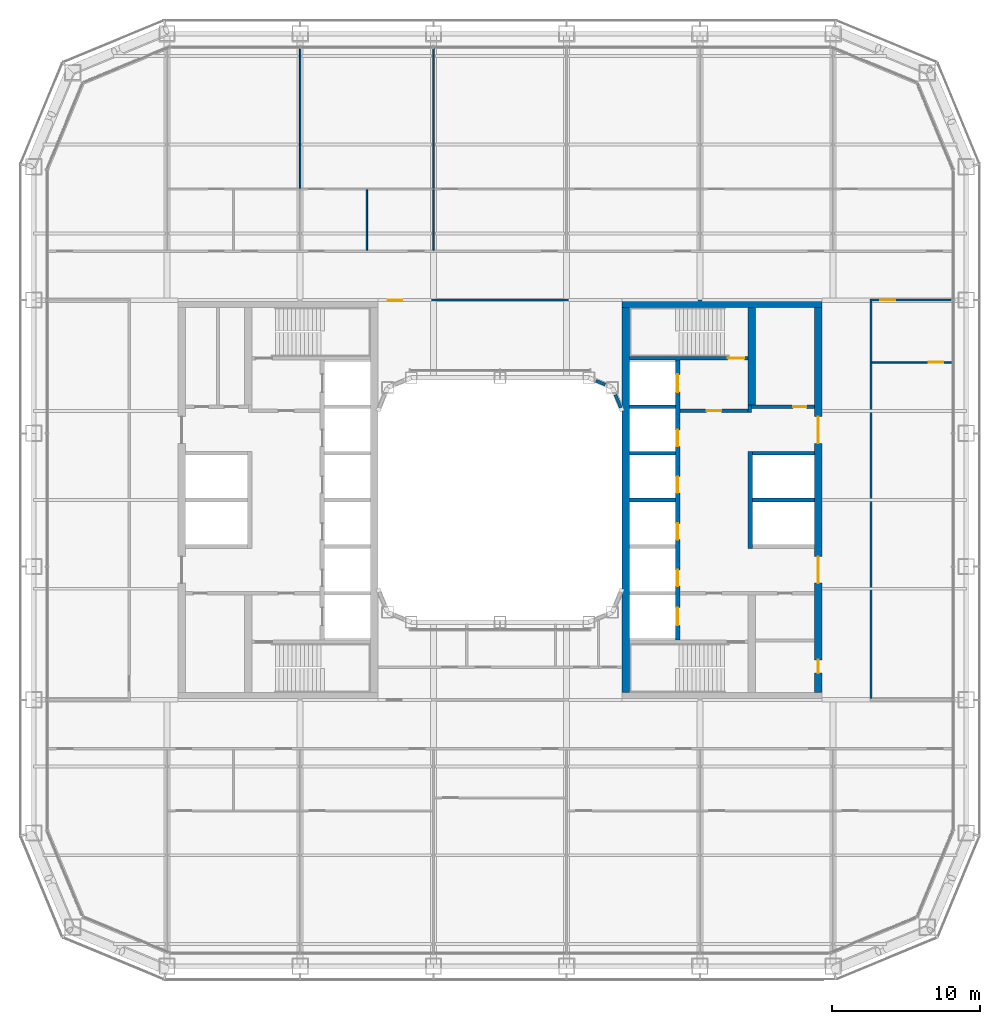
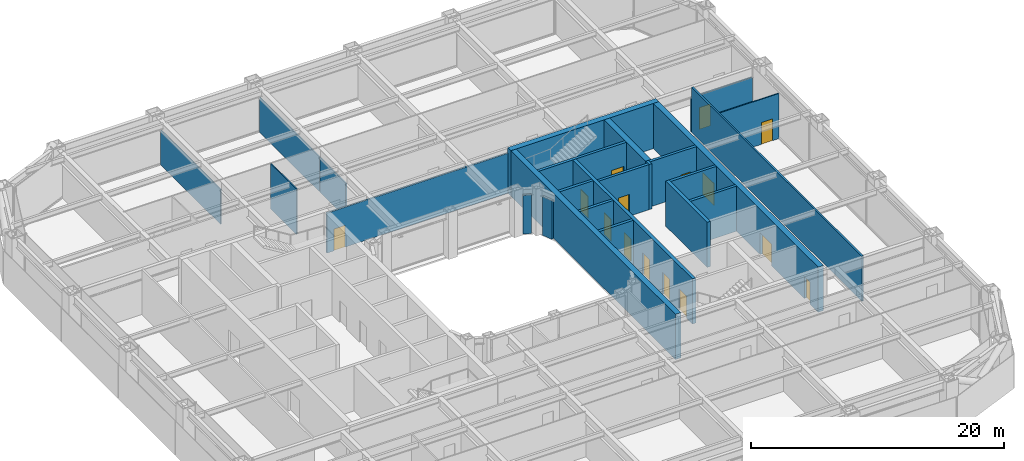
# One storey, part 14 of 24: 25 walls, 15 doors, 15 openings.
"""IFC4 building model written with IfcOpenShell, lengths in metres."""

from ifc_helpers import new_model, si_unit, direction, frame, frame_2d, origin, place, context, subcontext, project, spatial, rectangle, extrude, material, layer, layer_set, type_object, element, fill, save


model = new_model("IFC4")

# Units and contexts
model_context = context("Model", 3, precision=1e-05, world=origin(), true_north=direction((0.0, 1.0)))
body_context = subcontext(model_context, "Body", "Model", "MODEL_VIEW")
ifc_project = project(units=[si_unit("LENGTHUNIT", "METRE"), si_unit("AREAUNIT", "SQUARE_METRE"), si_unit("VOLUMEUNIT", "CUBIC_METRE"), si_unit("PLANEANGLEUNIT", "RADIAN"), si_unit("MASSUNIT", "GRAM", prefix="KILO")], contexts=[model_context])

# Site, building, storey
site_placement = place(None, origin())
site = spatial("IfcSite", under=ifc_project, at=site_placement, CompositionType="ELEMENT")
building_placement = place(site_placement, origin())
building = spatial("IfcBuilding", under=site, at=building_placement, Name="Siwar Civic Tower", CompositionType="ELEMENT")
storey_placement = place(building_placement, frame((0.0, 0.0, 40.199951171875)))
storey = spatial("IfcBuildingStorey", under=building, at=storey_placement, Name="L08", CompositionType="ELEMENT", Elevation=40.199951171875)

# Wall, opening, door
ifc_material_1 = material(Name="Concrete C60/75", Category="concrete")
ifc_layer_1 = layer(ifc_material_1, 0.25)
ifc_layer_set_1 = layer_set([ifc_layer_1], Name="Concrete C60/75")
wall_type_1 = type_object("IfcWallType", Name="CORE-WALL-RC250", PredefinedType="SHEAR", material=ifc_layer_set_1)
wall_1_placement = place(storey_placement, frame((12.14990234375, 6.02490234375, 0.0), z_axis=(0.0, 0.0, 1.0), x_axis=(1.0, 0.0, 0.0)))
wall_1 = element("IfcWall", 1, at=wall_1_placement, inside=storey, type_object=wall_type_1, Name="Core wall E", PredefinedType="SHEAR", context=body_context, shape_type="SweptSolid", body=[
    extrude(rectangle(XDim=4.60009765625, YDim=0.25, at=frame_2d((2.300048828125, 0.0))), origin(), (0.0, 0.0, 1.0), 4.35009765625),
])
opening_1_placement = place(wall_1_placement, frame((1.800048828125, 0.0, 0.0)))
opening_1 = element("IfcOpeningElement", 2, at=opening_1_placement, cuts=wall_1, Name="Opening L08-CE01", PredefinedType="OPENING", context=body_context, shape_type="SweptSolid", body=[
    extrude(rectangle(XDim=1.0, YDim=2.10009765625, at=frame_2d((0.5, 1.050048828125))), frame((0.0, 0.135009765625, 0.0), z_axis=(0.0, -1.0, 0.0), x_axis=(1.0, 0.0, 0.0)), (0.0, 0.0, 1.0), 0.27001953125),
])
ifc_material_2 = material(Name="Steel door leaf", Category="steel")
door_type_1 = type_object("IfcDoorType", Name="CORE-DOOR-FD30S", OperationType="SINGLE_SWING_LEFT", PredefinedType="DOOR", material=ifc_material_2)
door_1_placement = place(opening_1_placement, origin())
door_1 = element("IfcDoor", 3, at=door_1_placement, inside=storey, type_object=door_type_1, Name="Firefighting lobby door L08-CE01", OperationType="SINGLE_SWING_RIGHT", OverallHeight=2.10009765625, OverallWidth=1.0, PredefinedType="DOOR", context=body_context, shape_type="SweptSolid", body=[
    extrude(rectangle(XDim=1.0, YDim=2.10009765625, at=frame_2d((0.5, 1.050048828125))), frame((0.0, 0.02490234375, 0.0), z_axis=(0.0, -1.0, 0.0), x_axis=(1.0, 0.0, 0.0)), (0.0, 0.0, 1.0), 0.050048828125),
])
fill(opening_1, door_1)

# Wall
wall_2_placement = place(storey_placement, frame((16.875, 5.89990234375, 0.0), z_axis=(0.0, 0.0, 1.0), x_axis=(0.0, 1.0, 0.0)))
element("IfcWall", 4, at=wall_2_placement, inside=storey, type_object=wall_type_1, Name="Core wall E", PredefinedType="SHEAR", context=body_context, shape_type="SweptSolid", body=[
    extrude(rectangle(XDim=0.525146484375, YDim=0.25, at=frame_2d((0.2626953125, 0.0))), origin(), (0.0, 0.0, 1.0), 4.35009765625),
])

# Wall, opening, door
wall_3_placement = place(storey_placement, frame((17.0, 6.300048828125, 0.0), z_axis=(0.0, 0.0, 1.0), x_axis=(1.0, 0.0, 0.0)))
wall_3 = element("IfcWall", 5, at=wall_3_placement, inside=storey, type_object=wall_type_1, Name="Core wall E", PredefinedType="SHEAR", context=body_context, shape_type="SweptSolid", body=[
    extrude(rectangle(XDim=4.25, YDim=0.25, at=frame_2d((2.125, 0.0))), origin(), (0.0, 0.0, 1.0), 4.35009765625),
])
opening_2_placement = place(wall_3_placement, frame((2.800048828125, 0.0, 0.0)))
opening_2 = element("IfcOpeningElement", 6, at=opening_2_placement, cuts=wall_3, Name="Opening L08-CE13", PredefinedType="OPENING", context=body_context, shape_type="SweptSolid", body=[
    extrude(rectangle(XDim=0.89990234375, YDim=2.10009765625, at=frame_2d((0.449951171875, 1.050048828125))), frame((0.0, 0.135009765625, 0.0), z_axis=(0.0, -1.0, 0.0), x_axis=(1.0, 0.0, 0.0)), (0.0, 0.0, 1.0), 0.27001953125),
])
ifc_material_3 = material(Name="Steel door leaf", Category="steel")
door_type_2 = type_object("IfcDoorType", Name="CORE-DOOR-ROOM", OperationType="SINGLE_SWING_LEFT", PredefinedType="DOOR", material=ifc_material_3)
door_2_placement = place(opening_2_placement, origin())
door_2 = element("IfcDoor", 7, at=door_2_placement, inside=storey, type_object=door_type_2, Name="Core room door L08-CE13", OperationType="SINGLE_SWING_LEFT", OverallHeight=2.10009765625, OverallWidth=0.89990234375, PredefinedType="DOOR", context=body_context, shape_type="SweptSolid", body=[
    extrude(rectangle(XDim=0.89990234375, YDim=2.10009765625, at=frame_2d((0.449951171875, 1.050048828125))), frame((0.0, 0.02490234375, 0.0), z_axis=(0.0, -1.0, 0.0), x_axis=(1.0, 0.0, 0.0)), (0.0, 0.0, 1.0), 0.050048828125),
])
fill(opening_2, door_2)

# Walls
for number, where, z_axis, x_axis, name in (
    (8, (17.050048828125, 0.0, 0.0), (0.0, 0.0, 1.0), (1.0, 0.0, 0.0), "Core wall E"),
    (9, (17.050048828125, 3.14990234375, 0.0), (0.0, 0.0, 1.0), (1.0, 0.0, 0.0), "Core wall E"),
):
    element("IfcWall", number, at=place(storey_placement, frame(where, z_axis=z_axis, x_axis=x_axis)), inside=storey, type_object=wall_type_1, Name=name, PredefinedType="SHEAR", context=body_context, shape_type="SweptSolid", body=[
        extrude(rectangle(XDim=4.199951171875, YDim=0.25, at=frame_2d((2.10009765625, 0.0))), origin(), (0.0, 0.0, 1.0), 4.35009765625),
    ])
for number, where, z_axis, x_axis, name in (
    (10, (8.75, 0.0, 0.0), (0.0, 0.0, 1.0), (1.0, 0.0, 0.0), "Core wall E"),
    (11, (8.75, 3.14990234375, 0.0), (0.0, 0.0, 1.0), (1.0, 0.0, 0.0), "Core wall E"),
    (12, (8.75, 6.300048828125, 0.0), (0.0, 0.0, 1.0), (1.0, 0.0, 0.0), "Core wall E"),
):
    element("IfcWall", number, at=place(storey_placement, frame(where, z_axis=z_axis, x_axis=x_axis)), inside=storey, type_object=wall_type_1, Name=name, PredefinedType="SHEAR", context=body_context, shape_type="SweptSolid", body=[
        extrude(rectangle(XDim=3.10009765625, YDim=0.25, at=frame_2d((1.550048828125, 0.0))), origin(), (0.0, 0.0, 1.0), 4.35009765625),
    ])

# Wall, opening, door
wall_4_placement = place(storey_placement, frame((8.75, 9.574951171875, 0.0), z_axis=(0.0, 0.0, 1.0), x_axis=(1.0, 0.0, 0.0)))
wall_4 = element("IfcWall", 13, at=wall_4_placement, inside=storey, type_object=wall_type_1, Name="Core wall E", PredefinedType="SHEAR", context=body_context, shape_type="SweptSolid", body=[
    extrude(rectangle(XDim=8.0, YDim=0.25, at=frame_2d((4.0, 0.0))), origin(), (0.0, 0.0, 1.0), 4.35009765625),
])
opening_3_placement = place(wall_4_placement, frame((6.64990234375, 0.0, 0.0)))
opening_3 = element("IfcOpeningElement", 14, at=opening_3_placement, cuts=wall_4, Name="Opening L08-CE03", PredefinedType="OPENING", context=body_context, shape_type="SweptSolid", body=[
    extrude(rectangle(XDim=1.10009765625, YDim=2.10009765625, at=frame_2d((0.550048828125, 1.050048828125))), frame((0.0, 0.135009765625, 0.0), z_axis=(0.0, -1.0, 0.0), x_axis=(1.0, 0.0, 0.0)), (0.0, 0.0, 1.0), 0.27001953125),
])
ifc_material_4 = material(Name="Steel door leaf", Category="steel")
door_type_3 = type_object("IfcDoorType", Name="CORE-DOOR-FD60S", OperationType="SINGLE_SWING_LEFT", PredefinedType="DOOR", material=ifc_material_4)
door_3_placement = place(opening_3_placement, origin())
door_3 = element("IfcDoor", 15, at=door_3_placement, inside=storey, type_object=door_type_3, Name="Stair door L08-CE03", OperationType="SINGLE_SWING_LEFT", OverallHeight=2.10009765625, OverallWidth=1.10009765625, PredefinedType="DOOR", context=body_context, shape_type="SweptSolid", body=[
    extrude(rectangle(XDim=1.10009765625, YDim=2.10009765625, at=frame_2d((0.550048828125, 1.050048828125))), frame((0.0, 0.02490234375, 0.0), z_axis=(0.0, -1.0, 0.0), x_axis=(1.0, 0.0, 0.0)), (0.0, 0.0, 1.0), 0.050048828125),
])
fill(opening_3, door_3)

# Wall, openings, doors
ifc_material_5 = material(Name="Concrete C60/75", Category="concrete")
ifc_layer_2 = layer(ifc_material_5, 0.300048828125)
ifc_layer_set_2 = layer_set([ifc_layer_2], Name="Concrete C60/75")
wall_type_2 = type_object("IfcWallType", Name="CORE-WALL-RC300", PredefinedType="SHEAR", material=ifc_layer_set_2)
wall_5_placement = place(storey_placement, frame((12.0, -9.449951171875, 0.0), z_axis=(0.0, 0.0, 1.0), x_axis=(0.0, 1.0, 0.0)))
wall_5 = element("IfcWall", 16, at=wall_5_placement, inside=storey, type_object=wall_type_2, Name="Core wall E", PredefinedType="SHEAR", context=body_context, shape_type="SweptSolid", body=[
    extrude(rectangle(XDim=18.89990234375, YDim=0.300048828125, at=frame_2d((9.449951171875, 0.0))), origin(), (0.0, 0.0, 1.0), 4.35009765625),
])
opening_4_placement = place(wall_5_placement, frame((3.625, 0.0, 0.0)))
opening_4 = element("IfcOpeningElement", 17, at=opening_4_placement, cuts=wall_5, Name="Opening L08-CE07", PredefinedType="OPENING", context=body_context, shape_type="SweptSolid", body=[
    extrude(rectangle(XDim=1.10009765625, YDim=2.10009765625, at=frame_2d((0.550048828125, 1.050048828125))), frame((0.0, 0.16015625, 0.0), z_axis=(0.0, -1.0, 0.0), x_axis=(1.0, 0.0, 0.0)), (0.0, 0.0, 1.0), 0.320068359375),
])
opening_5_placement = place(wall_5_placement, frame((6.77490234375, 0.0, 0.0)))
opening_5 = element("IfcOpeningElement", 18, at=opening_5_placement, cuts=wall_5, Name="Opening L08-CE08", PredefinedType="OPENING", context=body_context, shape_type="SweptSolid", body=[
    extrude(rectangle(XDim=1.10009765625, YDim=2.10009765625, at=frame_2d((0.550048828125, 1.050048828125))), frame((0.0, 0.16015625, 0.0), z_axis=(0.0, -1.0, 0.0), x_axis=(1.0, 0.0, 0.0)), (0.0, 0.0, 1.0), 0.320068359375),
])
opening_6_placement = place(wall_5_placement, frame((9.925048828125, 0.0, 0.0)))
opening_6 = element("IfcOpeningElement", 19, at=opening_6_placement, cuts=wall_5, Name="Opening L08-CE09", PredefinedType="OPENING", context=body_context, shape_type="SweptSolid", body=[
    extrude(rectangle(XDim=1.10009765625, YDim=2.10009765625, at=frame_2d((0.550048828125, 1.050048828125))), frame((0.0, 0.16015625, 0.0), z_axis=(0.0, -1.0, 0.0), x_axis=(1.0, 0.0, 0.0)), (0.0, 0.0, 1.0), 0.320068359375),
])
opening_7_placement = place(wall_5_placement, frame((13.074951171875, 0.0, 0.0)))
opening_7 = element("IfcOpeningElement", 20, at=opening_7_placement, cuts=wall_5, Name="Opening L08-CE10", PredefinedType="OPENING", context=body_context, shape_type="SweptSolid", body=[
    extrude(rectangle(XDim=1.10009765625, YDim=2.10009765625, at=frame_2d((0.550048828125, 1.050048828125))), frame((0.0, 0.16015625, 0.0), z_axis=(0.0, -1.0, 0.0), x_axis=(1.0, 0.0, 0.0)), (0.0, 0.0, 1.0), 0.320068359375),
])
opening_8_placement = place(wall_5_placement, frame((16.72509765625, 0.0, 0.0)))
opening_8 = element("IfcOpeningElement", 21, at=opening_8_placement, cuts=wall_5, Name="Opening L08-CE11", PredefinedType="OPENING", context=body_context, shape_type="SweptSolid", body=[
    extrude(rectangle(XDim=1.199951171875, YDim=2.10009765625, at=frame_2d((0.60009765625, 1.050048828125))), frame((0.0, 0.16015625, 0.0), z_axis=(0.0, -1.0, 0.0), x_axis=(1.0, 0.0, 0.0)), (0.0, 0.0, 1.0), 0.320068359375),
])
opening_9_placement = place(wall_5_placement, frame((0.97509765625, 0.0, 0.0)))
opening_9 = element("IfcOpeningElement", 22, at=opening_9_placement, cuts=wall_5, Name="Opening L08-CE12", PredefinedType="OPENING", context=body_context, shape_type="SweptSolid", body=[
    extrude(rectangle(XDim=1.199951171875, YDim=2.10009765625, at=frame_2d((0.60009765625, 1.050048828125))), frame((0.0, 0.16015625, 0.0), z_axis=(0.0, -1.0, 0.0), x_axis=(1.0, 0.0, 0.0)), (0.0, 0.0, 1.0), 0.320068359375),
])
ifc_material_6 = material(Name="Steel door leaf", Category="steel")
door_type_4 = type_object("IfcDoorType", Name="CORE-DOOR-LD", OperationType="DOUBLE_DOOR_SLIDING", PredefinedType="DOOR", material=ifc_material_6)
door_4_placement = place(opening_4_placement, origin())
door_4 = element("IfcDoor", 23, at=door_4_placement, inside=storey, type_object=door_type_4, Name="Landing door LR5 L08-CE07", OperationType="DOUBLE_DOOR_SLIDING", OverallHeight=2.10009765625, OverallWidth=1.10009765625, PredefinedType="DOOR", context=body_context, shape_type="SweptSolid", body=[
    extrude(rectangle(XDim=1.10009765625, YDim=2.10009765625, at=frame_2d((0.550048828125, 1.050048828125))), frame((0.0, 0.02490234375, 0.0), z_axis=(0.0, -1.0, 0.0), x_axis=(1.0, 0.0, 0.0)), (0.0, 0.0, 1.0), 0.050048828125),
])
fill(opening_4, door_4)
door_5_placement = place(opening_5_placement, origin())
door_5 = element("IfcDoor", 24, at=door_5_placement, inside=storey, type_object=door_type_4, Name="Landing door LR6 L08-CE08", OperationType="DOUBLE_DOOR_SLIDING", OverallHeight=2.10009765625, OverallWidth=1.10009765625, PredefinedType="DOOR", context=body_context, shape_type="SweptSolid", body=[
    extrude(rectangle(XDim=1.10009765625, YDim=2.10009765625, at=frame_2d((0.550048828125, 1.050048828125))), frame((0.0, 0.02490234375, 0.0), z_axis=(0.0, -1.0, 0.0), x_axis=(1.0, 0.0, 0.0)), (0.0, 0.0, 1.0), 0.050048828125),
])
fill(opening_5, door_5)
door_6_placement = place(opening_6_placement, origin())
door_6 = element("IfcDoor", 25, at=door_6_placement, inside=storey, type_object=door_type_4, Name="Landing door LR7 L08-CE09", OperationType="DOUBLE_DOOR_SLIDING", OverallHeight=2.10009765625, OverallWidth=1.10009765625, PredefinedType="DOOR", context=body_context, shape_type="SweptSolid", body=[
    extrude(rectangle(XDim=1.10009765625, YDim=2.10009765625, at=frame_2d((0.550048828125, 1.050048828125))), frame((0.0, 0.02490234375, 0.0), z_axis=(0.0, -1.0, 0.0), x_axis=(1.0, 0.0, 0.0)), (0.0, 0.0, 1.0), 0.050048828125),
])
fill(opening_6, door_6)
door_7_placement = place(opening_7_placement, origin())
door_7 = element("IfcDoor", 26, at=door_7_placement, inside=storey, type_object=door_type_4, Name="Landing door LR8 L08-CE10", OperationType="DOUBLE_DOOR_SLIDING", OverallHeight=2.10009765625, OverallWidth=1.10009765625, PredefinedType="DOOR", context=body_context, shape_type="SweptSolid", body=[
    extrude(rectangle(XDim=1.10009765625, YDim=2.10009765625, at=frame_2d((0.550048828125, 1.050048828125))), frame((0.0, 0.02490234375, 0.0), z_axis=(0.0, -1.0, 0.0), x_axis=(1.0, 0.0, 0.0)), (0.0, 0.0, 1.0), 0.050048828125),
])
fill(opening_7, door_7)
ifc_material_7 = material(Name="Steel door leaf", Category="steel")
door_type_5 = type_object("IfcDoorType", Name="CORE-DOOR-LDW", OperationType="DOUBLE_DOOR_SLIDING", PredefinedType="DOOR", material=ifc_material_7)
door_8_placement = place(opening_8_placement, origin())
door_8 = element("IfcDoor", 27, at=door_8_placement, inside=storey, type_object=door_type_5, Name="Landing door FF2 L08-CE11", OperationType="DOUBLE_DOOR_SLIDING", OverallHeight=2.10009765625, OverallWidth=1.199951171875, PredefinedType="DOOR", context=body_context, shape_type="SweptSolid", body=[
    extrude(rectangle(XDim=1.199951171875, YDim=2.10009765625, at=frame_2d((0.60009765625, 1.050048828125))), frame((0.0, 0.02490234375, 0.0), z_axis=(0.0, -1.0, 0.0), x_axis=(1.0, 0.0, 0.0)), (0.0, 0.0, 1.0), 0.050048828125),
])
fill(opening_8, door_8)
door_9_placement = place(opening_9_placement, origin())
door_9 = element("IfcDoor", 28, at=door_9_placement, inside=storey, type_object=door_type_5, Name="Landing door SV2 L08-CE12", OperationType="DOUBLE_DOOR_SLIDING", OverallHeight=2.10009765625, OverallWidth=1.199951171875, PredefinedType="DOOR", context=body_context, shape_type="SweptSolid", body=[
    extrude(rectangle(XDim=1.199951171875, YDim=2.10009765625, at=frame_2d((0.60009765625, 1.050048828125))), frame((0.0, 0.02490234375, 0.0), z_axis=(0.0, -1.0, 0.0), x_axis=(1.0, 0.0, 0.0)), (0.0, 0.0, 1.0), 0.050048828125),
])
fill(opening_9, door_9)

# Wall
wall_6_placement = place(storey_placement, frame((16.89990234375, -3.27490234375, 0.0), z_axis=(0.0, 0.0, 1.0), x_axis=(0.0, 1.0, 0.0)))
element("IfcWall", 29, at=wall_6_placement, inside=storey, type_object=wall_type_2, Name="Core wall E", PredefinedType="SHEAR", context=body_context, shape_type="SweptSolid", body=[
    extrude(rectangle(XDim=6.5498046875, YDim=0.300048828125, at=frame_2d((3.27490234375, 0.0))), origin(), (0.0, 0.0, 1.0), 4.35009765625),
])

# Wall, openings, doors
ifc_material_8 = material(Name="Concrete C60/75", Category="concrete")
ifc_layer_3 = layer(ifc_material_8, 0.5)
ifc_layer_set_3 = layer_set([ifc_layer_3], Name="Concrete C60/75")
wall_type_3 = type_object("IfcWallType", Name="CORE-WALL-RC500", PredefinedType="SHEAR", material=ifc_layer_set_3)
wall_7_placement = place(storey_placement, frame((21.5, -13.0, 0.0), z_axis=(0.0, 0.0, 1.0), x_axis=(0.0, 1.0, 0.0)))
wall_7 = element("IfcWall", 30, at=wall_7_placement, inside=storey, type_object=wall_type_3, Name="Core wall E", PredefinedType="SHEAR", context=body_context, shape_type="SweptSolid", body=[
    extrude(rectangle(XDim=26.0, YDim=0.5, at=frame_2d((13.0, 0.0))), origin(), (0.0, 0.0, 1.0), 4.35009765625),
])
opening_10_placement = place(wall_7_placement, frame((16.824951171875, 0.0, 0.0)))
opening_10 = element("IfcOpeningElement", 31, at=opening_10_placement, cuts=wall_7, Name="Opening L08-CE05", PredefinedType="OPENING", context=body_context, shape_type="SweptSolid", body=[
    extrude(rectangle(XDim=1.800048828125, YDim=2.10009765625, at=frame_2d((0.89990234375, 1.050048828125))), frame((0.0, 0.260009765625, 0.0), z_axis=(0.0, -1.0, 0.0), x_axis=(1.0, 0.0, 0.0)), (0.0, 0.0, 1.0), 0.52001953125),
])
opening_11_placement = place(wall_7_placement, frame((7.375, 0.0, 0.0)))
opening_11 = element("IfcOpeningElement", 32, at=opening_11_placement, cuts=wall_7, Name="Opening L08-CE06", PredefinedType="OPENING", context=body_context, shape_type="SweptSolid", body=[
    extrude(rectangle(XDim=1.800048828125, YDim=2.10009765625, at=frame_2d((0.89990234375, 1.050048828125))), frame((0.0, 0.260009765625, 0.0), z_axis=(0.0, -1.0, 0.0), x_axis=(1.0, 0.0, 0.0)), (0.0, 0.0, 1.0), 0.52001953125),
])
opening_12_placement = place(wall_7_placement, frame((1.300048828125, 0.0, 0.0)))
opening_12 = element("IfcOpeningElement", 33, at=opening_12_placement, cuts=wall_7, Name="Opening L08-CE15", PredefinedType="OPENING", context=body_context, shape_type="SweptSolid", body=[
    extrude(rectangle(XDim=0.89990234375, YDim=2.10009765625, at=frame_2d((0.449951171875, 1.050048828125))), frame((0.0, 0.260009765625, 0.0), z_axis=(0.0, -1.0, 0.0), x_axis=(1.0, 0.0, 0.0)), (0.0, 0.0, 1.0), 0.52001953125),
])
ifc_material_9 = material(Name="Steel door leaf", Category="steel")
door_type_6 = type_object("IfcDoorType", Name="CORE-DOOR-PORT", OperationType="DOUBLE_DOOR_DOUBLE_SWING", PredefinedType="DOOR", material=ifc_material_9)
door_10_placement = place(opening_10_placement, origin())
door_10 = element("IfcDoor", 34, at=door_10_placement, inside=storey, type_object=door_type_6, Name="Core entrance door L08-CE05", OperationType="DOUBLE_DOOR_DOUBLE_SWING", OverallHeight=2.10009765625, OverallWidth=1.800048828125, PredefinedType="DOOR", context=body_context, shape_type="SweptSolid", body=[
    extrude(rectangle(XDim=1.800048828125, YDim=2.10009765625, at=frame_2d((0.89990234375, 1.050048828125))), frame((0.0, 0.02490234375, 0.0), z_axis=(0.0, -1.0, 0.0), x_axis=(1.0, 0.0, 0.0)), (0.0, 0.0, 1.0), 0.050048828125),
])
fill(opening_10, door_10)
door_11_placement = place(opening_11_placement, origin())
door_11 = element("IfcDoor", 35, at=door_11_placement, inside=storey, type_object=door_type_6, Name="Core entrance door L08-CE06", OperationType="DOUBLE_DOOR_DOUBLE_SWING", OverallHeight=2.10009765625, OverallWidth=1.800048828125, PredefinedType="DOOR", context=body_context, shape_type="SweptSolid", body=[
    extrude(rectangle(XDim=1.800048828125, YDim=2.10009765625, at=frame_2d((0.89990234375, 1.050048828125))), frame((0.0, 0.02490234375, 0.0), z_axis=(0.0, -1.0, 0.0), x_axis=(1.0, 0.0, 0.0)), (0.0, 0.0, 1.0), 0.050048828125),
])
fill(opening_11, door_11)
door_12_placement = place(opening_12_placement, origin())
door_12 = element("IfcDoor", 36, at=door_12_placement, inside=storey, type_object=door_type_2, Name="Core room door L08-CE15", OperationType="SINGLE_SWING_LEFT", OverallHeight=2.10009765625, OverallWidth=0.89990234375, PredefinedType="DOOR", context=body_context, shape_type="SweptSolid", body=[
    extrude(rectangle(XDim=0.89990234375, YDim=2.10009765625, at=frame_2d((0.449951171875, 1.050048828125))), frame((0.0, 0.02490234375, 0.0), z_axis=(0.0, -1.0, 0.0), x_axis=(1.0, 0.0, 0.0)), (0.0, 0.0, 1.0), 0.050048828125),
])
fill(opening_12, door_12)

# Walls
wall_8_placement = place(storey_placement, frame((17.0, 6.425048828125, 0.0), z_axis=(0.0, 0.0, 1.0), x_axis=(0.0, 1.0, 0.0)))
element("IfcWall", 37, at=wall_8_placement, inside=storey, type_object=wall_type_3, Name="Core wall E", PredefinedType="SHEAR", context=body_context, shape_type="SweptSolid", body=[
    extrude(rectangle(XDim=6.574951171875, YDim=0.5, at=frame_2d((3.28759765625, 0.0))), origin(), (0.0, 0.0, 1.0), 4.35009765625),
])
wall_9_placement = place(storey_placement, frame((8.25, 13.25, 0.0), z_axis=(0.0, 0.0, 1.0), x_axis=(1.0, 0.0, 0.0)))
element("IfcWall", 38, at=wall_9_placement, inside=storey, type_object=wall_type_3, Name="Core wall E", PredefinedType="SHEAR", context=body_context, shape_type="SweptSolid", body=[
    extrude(rectangle(XDim=13.5, YDim=0.5, at=frame_2d((6.75, 0.0))), origin(), (0.0, 0.0, 1.0), 4.35009765625),
])
ifc_material_10 = material(Name="Concrete C60/75", Category="concrete")
ifc_layer_4 = layer(ifc_material_10, 0.5)
ifc_layer_set_4 = layer_set([ifc_layer_4], Name="Concrete C60/75")
wall_type_4 = type_object("IfcWallType", Name="CORE-WALL-RC500-EXT", PredefinedType="SHEAR", material=ifc_layer_set_4)
wall_10_placement = place(storey_placement, frame((8.5, -13.0, 0.0), z_axis=(0.0, 0.0, 1.0), x_axis=(0.0, 1.0, 0.0)))
element("IfcWall", 39, at=wall_10_placement, inside=storey, type_object=wall_type_4, Name="Core wall E", PredefinedType="SHEAR", context=body_context, shape_type="SweptSolid", body=[
    extrude(rectangle(XDim=26.0, YDim=0.5, at=frame_2d((13.0, 0.0))), origin(), (0.0, 0.0, 1.0), 4.35009765625),
])

# Wall, opening, door
ifc_material_11 = material(Name="Gypsum board on steel studs", Category="steel")
ifc_layer_5 = layer(ifc_material_11, 0.14990234375)
ifc_layer_set_5 = layer_set([ifc_layer_5], Name="Gypsum board on steel studs")
wall_type_5 = type_object("IfcWallType", Name="CORRIDOR PARTITION 150 EI 30", PredefinedType="PARTITIONING", material=ifc_layer_set_5)
wall_11_placement = place(storey_placement, frame((-8.25, 13.5, 0.0), z_axis=(0.0, 0.0, 1.0), x_axis=(1.0, 0.0, 0.0)))
wall_11 = element("IfcWall", 40, at=wall_11_placement, inside=storey, type_object=wall_type_5, Name="L08/wall/P12", PredefinedType="PARTITIONING", context=body_context, shape_type="SweptSolid", body=[
    extrude(rectangle(XDim=16.5, YDim=0.14990234375, at=frame_2d((8.25, 0.0))), origin(), (0.0, 0.0, 1.0), 3.85009765625),
])
opening_13_placement = place(wall_11_placement, frame((0.64990234375, 0.0, 0.0)))
opening_13 = element("IfcOpeningElement", 41, at=opening_13_placement, cuts=wall_11, Name="Opening D1", PredefinedType="OPENING", context=body_context, shape_type="SweptSolid", body=[
    extrude(rectangle(XDim=1.0, YDim=2.10009765625, at=frame_2d((0.5, 1.050048828125))), frame((0.0, 0.0849609375, 0.0), z_axis=(0.0, -1.0, 0.0), x_axis=(1.0, 0.0, 0.0)), (0.0, 0.0, 1.0), 0.169921875),
])
ifc_material_12 = material(Name="Timber, painted", Category="wood")
door_type_7 = type_object("IfcDoorType", Name="DOOR 1000 X 2100 FD30", OperationType="SINGLE_SWING_LEFT", PredefinedType="DOOR", material=ifc_material_12)
door_13_placement = place(opening_13_placement, origin())
door_13 = element("IfcDoor", 42, at=door_13_placement, inside=storey, type_object=door_type_7, Name="L08-D33", OperationType="SINGLE_SWING_LEFT", OverallHeight=2.10009765625, OverallWidth=1.0, PredefinedType="DOOR", context=body_context, shape_type="SweptSolid", body=[
    extrude(rectangle(XDim=1.0, YDim=2.10009765625, at=frame_2d((0.5, 1.050048828125))), frame((0.0, 0.02490234375, 0.0), z_axis=(0.0, -1.0, 0.0), x_axis=(1.0, 0.0, 0.0)), (0.0, 0.0, 1.0), 0.050048828125),
])
fill(opening_13, door_13)

wall_12_placement = place(storey_placement, frame((24.97509765625, 13.5, 0.0), z_axis=(0.0, 0.0, 1.0), x_axis=(1.0, 0.0, 0.0)))
wall_12 = element("IfcWall", 43, at=wall_12_placement, inside=storey, type_object=wall_type_5, Name="L08/wall/P13", PredefinedType="PARTITIONING", context=body_context, shape_type="SweptSolid", body=[
    extrude(rectangle(XDim=5.534912109375, YDim=0.14990234375, at=frame_2d((2.767578125, 0.0))), origin(), (0.0, 0.0, 1.0), 3.35009765625),
])
opening_14_placement = place(wall_12_placement, frame((0.72509765625, 0.0, 0.0)))
opening_14 = element("IfcOpeningElement", 44, at=opening_14_placement, cuts=wall_12, Name="Opening D1", PredefinedType="OPENING", context=body_context, shape_type="SweptSolid", body=[
    extrude(rectangle(XDim=1.0, YDim=2.10009765625, at=frame_2d((0.5, 1.050048828125))), frame((0.0, 0.0849609375, 0.0), z_axis=(0.0, -1.0, 0.0), x_axis=(1.0, 0.0, 0.0)), (0.0, 0.0, 1.0), 0.169921875),
])
door_14_placement = place(opening_14_placement, origin())
door_14 = element("IfcDoor", 45, at=door_14_placement, inside=storey, type_object=door_type_7, Name="L08-D31", OperationType="SINGLE_SWING_LEFT", OverallHeight=2.10009765625, OverallWidth=1.0, PredefinedType="DOOR", context=body_context, shape_type="SweptSolid", body=[
    extrude(rectangle(XDim=1.0, YDim=2.10009765625, at=frame_2d((0.5, 1.050048828125))), frame((0.0, 0.02490234375, 0.0), z_axis=(0.0, -1.0, 0.0), x_axis=(1.0, 0.0, 0.0)), (0.0, 0.0, 1.0), 0.050048828125),
])
fill(opening_14, door_14)

# Walls
wall_13_placement = place(storey_placement, frame((25.050048828125, -13.425048828125, 0.0), z_axis=(0.0, 0.0, 1.0), x_axis=(0.0, 1.0, 0.0)))
element("IfcWall", 46, at=wall_13_placement, inside=storey, type_object=wall_type_5, Name="L08/wall/P43", PredefinedType="PARTITIONING", context=body_context, shape_type="SweptSolid", body=[
    extrude(rectangle(XDim=26.85009765625, YDim=0.14990234375, at=frame_2d((13.425048828125, 0.0))), origin(), (0.0, 0.0, 1.0), 4.35009765625),
])
ifc_material_13 = material(Name="Aluminium clad insulated panel", Category="aluminium")
ifc_layer_6 = layer(ifc_material_13, 0.199951171875)
ifc_layer_set_6 = layer_set([ifc_layer_6], Name="Aluminium clad insulated panel")
wall_type_6 = type_object("IfcWallType", Name="ENV-WALL-WELL", PredefinedType="STANDARD", material=ifc_layer_set_6)
wall_14_placement = place(storey_placement, frame((8.154296875, 6.23095703125, 0.0), z_axis=(0.0, 0.0, 1.0), x_axis=(-0.382624318388, 0.923904016107, 0.0)))
element("IfcWall", 47, at=wall_14_placement, inside=storey, type_object=wall_type_6, Name="Light well corner wall NE1", PredefinedType="STANDARD", context=body_context, shape_type="SweptSolid", body=[
    extrude(rectangle(XDim=0.949462890625, YDim=0.199951171875, at=frame_2d((0.474609375, 0.0))), origin(), (0.0, 0.0, 1.0), 3.72998046875),
])
wall_15_placement = place(storey_placement, frame((7.108154296875, 7.791015625, 0.0), z_axis=(0.0, 0.0, 1.0), x_axis=(-0.923854141361, 0.382744726273, 0.0)))
element("IfcWall", 48, at=wall_15_placement, inside=storey, type_object=wall_type_6, Name="Light well corner wall NE2", PredefinedType="STANDARD", context=body_context, shape_type="SweptSolid", body=[
    extrude(rectangle(XDim=0.6767578125, YDim=0.199951171875, at=frame_2d((0.33837890625, 0.0))), origin(), (0.0, 0.0, 1.0), 3.72998046875),
])

# Wall, opening, door
ifc_material_14 = material(Name="Gypsum board on steel studs", Category="steel")
ifc_layer_7 = layer(ifc_material_14, 0.10009765625)
ifc_layer_set_7 = layer_set([ifc_layer_7], Name="Gypsum board on steel studs")
wall_type_7 = type_object("IfcWallType", Name="PARTITION 100 GYPSUM", PredefinedType="PARTITIONING", material=ifc_layer_set_7)
wall_16_placement = place(storey_placement, frame((25.125, 9.300048828125, 0.0), z_axis=(0.0, 0.0, 1.0), x_axis=(1.0, 0.0, 0.0)))
wall_16 = element("IfcWall", 49, at=wall_16_placement, inside=storey, type_object=wall_type_7, Name="L08/wall/P10", PredefinedType="PARTITIONING", context=body_context, shape_type="SweptSolid", body=[
    extrude(rectangle(XDim=5.385009765625, YDim=0.10009765625, at=frame_2d((2.6923828125, 0.0))), origin(), (0.0, 0.0, 1.0), 4.35009765625),
])
opening_15_placement = place(wall_16_placement, frame((3.824951171875, 0.0, 0.0)))
opening_15 = element("IfcOpeningElement", 50, at=opening_15_placement, cuts=wall_16, Name="Opening D2", PredefinedType="OPENING", context=body_context, shape_type="SweptSolid", body=[
    extrude(rectangle(XDim=1.0, YDim=2.10009765625, at=frame_2d((0.5, 1.050048828125))), frame((0.0, 0.06005859375, 0.0), z_axis=(0.0, -1.0, 0.0), x_axis=(1.0, 0.0, 0.0)), (0.0, 0.0, 1.0), 0.1201171875),
])
ifc_material_15 = material(Name="Timber, painted", Category="wood")
door_type_8 = type_object("IfcDoorType", Name="DOOR 1000 X 2100", OperationType="SINGLE_SWING_LEFT", PredefinedType="DOOR", material=ifc_material_15)
door_15_placement = place(opening_15_placement, origin())
door_15 = element("IfcDoor", 51, at=door_15_placement, inside=storey, type_object=door_type_8, Name="L08-D32", OperationType="SINGLE_SWING_RIGHT", OverallHeight=2.10009765625, OverallWidth=1.0, PredefinedType="DOOR", context=body_context, shape_type="SweptSolid", body=[
    extrude(rectangle(XDim=1.0, YDim=2.10009765625, at=frame_2d((0.5, 1.050048828125))), frame((0.0, 0.02490234375, 0.0), z_axis=(0.0, -1.0, 0.0), x_axis=(1.0, 0.0, 0.0)), (0.0, 0.0, 1.0), 0.050048828125),
])
fill(opening_15, door_15)

# Walls
wall_17_placement = place(storey_placement, frame((-13.5, 21.050048828125, 0.0), z_axis=(0.0, 0.0, 1.0), x_axis=(0.0, 1.0, 0.0)))
element("IfcWall", 52, at=wall_17_placement, inside=storey, type_object=wall_type_7, Name="L08/wall/P24", PredefinedType="PARTITIONING", context=body_context, shape_type="SweptSolid", body=[
    extrude(rectangle(XDim=9.4599609375, YDim=0.10009765625, at=frame_2d((4.72998046875, 0.0))), origin(), (0.0, 0.0, 1.0), 3.35009765625),
])
wall_18_placement = place(storey_placement, frame((-9.0, 16.875, 0.0), z_axis=(0.0, 0.0, 1.0), x_axis=(0.0, 1.0, 0.0)))
element("IfcWall", 53, at=wall_18_placement, inside=storey, type_object=wall_type_7, Name="L08/wall/P25", PredefinedType="PARTITIONING", context=body_context, shape_type="SweptSolid", body=[
    extrude(rectangle(XDim=4.074951171875, YDim=0.10009765625, at=frame_2d((2.03759765625, 0.0))), origin(), (0.0, 0.0, 1.0), 4.35009765625),
])
wall_19_placement = place(storey_placement, frame((-4.5, 16.875, 0.0), z_axis=(0.0, 0.0, 1.0), x_axis=(0.0, 1.0, 0.0)))
element("IfcWall", 54, at=wall_19_placement, inside=storey, type_object=wall_type_7, Name="L08/wall/P27", PredefinedType="PARTITIONING", context=body_context, shape_type="SweptSolid", body=[
    extrude(rectangle(XDim=4.074951171875, YDim=0.10009765625, at=frame_2d((2.03759765625, 0.0))), origin(), (0.0, 0.0, 1.0), 3.35009765625),
])
wall_20_placement = place(storey_placement, frame((-4.5, 21.050048828125, 0.0), z_axis=(0.0, 0.0, 1.0), x_axis=(0.0, 1.0, 0.0)))
element("IfcWall", 55, at=wall_20_placement, inside=storey, type_object=wall_type_7, Name="L08/wall/P28", PredefinedType="PARTITIONING", context=body_context, shape_type="SweptSolid", body=[
    extrude(rectangle(XDim=9.4599609375, YDim=0.10009765625, at=frame_2d((4.72998046875, 0.0))), origin(), (0.0, 0.0, 1.0), 3.35009765625),
])

save(model, "model.ifc")
